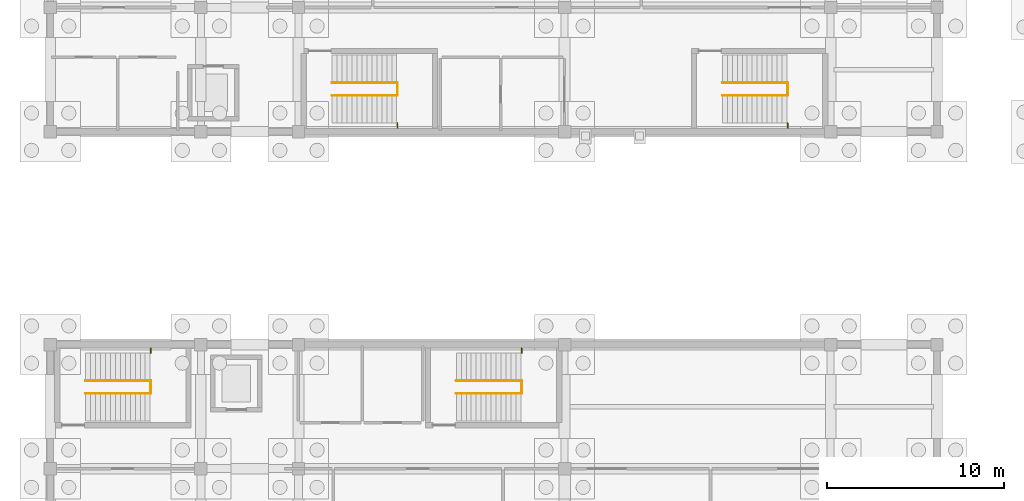
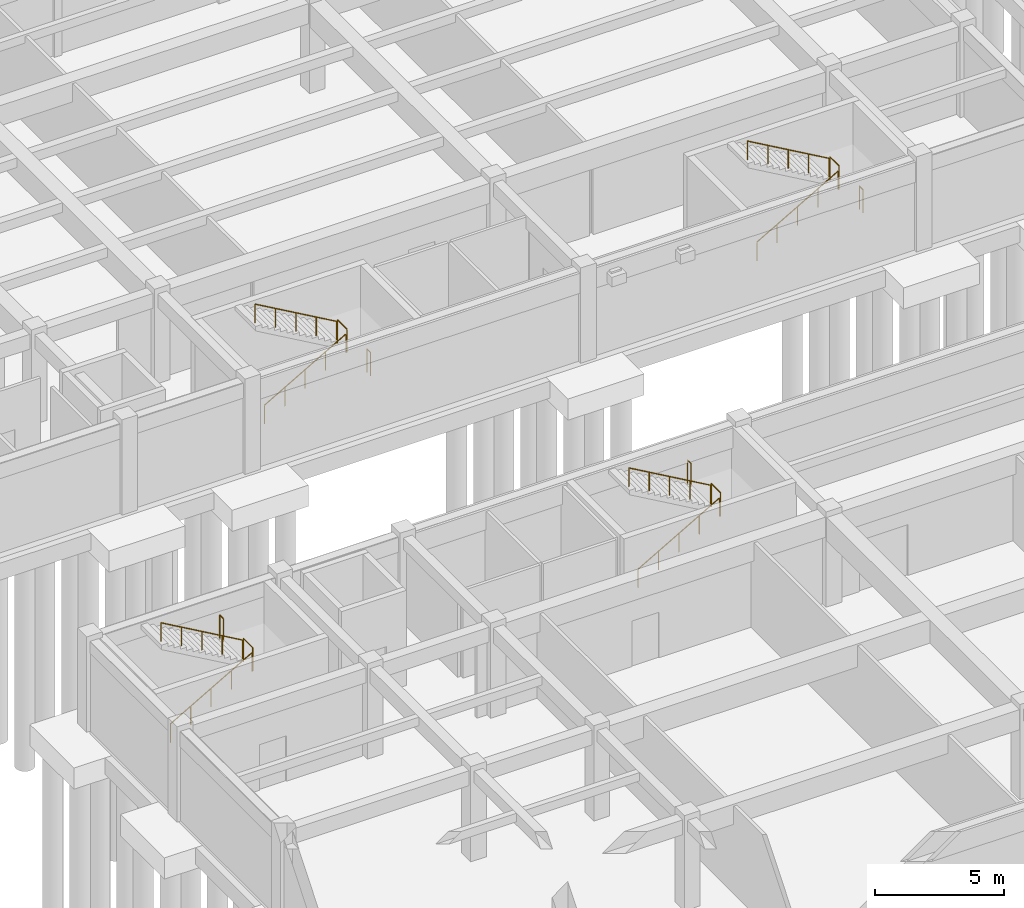
# One storey, part 24 of 28: 16 railings.
"""IFC4 building model written with IfcOpenShell, lengths in metres."""

from ifc_helpers import new_model, si_unit, direction, frame, origin, origin_2d, place, context, subcontext, project, spatial, circle, extrude, material, type_object, element, save


model = new_model("IFC4")

# Units and contexts
model_context = context("Model", 3, precision=1e-05, world=origin(), true_north=direction((0.0, 1.0)))
body_context = subcontext(model_context, "Body", "Model", "MODEL_VIEW")
ifc_project = project(units=[si_unit("LENGTHUNIT", "METRE"), si_unit("AREAUNIT", "SQUARE_METRE"), si_unit("VOLUMEUNIT", "CUBIC_METRE"), si_unit("PLANEANGLEUNIT", "RADIAN"), si_unit("MASSUNIT", "GRAM", prefix="KILO")], contexts=[model_context])

# Site, building, storey
site_placement = place(None, origin())
site = spatial("IfcSite", under=ifc_project, at=site_placement, CompositionType="ELEMENT")
building_placement = place(site_placement, origin())
building = spatial("IfcBuilding", under=site, at=building_placement, Name="Naurynzar Civic Courthouse", CompositionType="ELEMENT")
storey_placement = place(building_placement, frame((0.0, 0.0, -4.5)))
storey = spatial("IfcBuildingStorey", under=building, at=storey_placement, Name="B01", CompositionType="ELEMENT", Elevation=-4.5)

# Railings
ifc_material_1 = material(Name="Brushed Stainless Steel 304", Category="steel")
railing_type_1 = type_object("IfcRailingType", Name="RAIL-BAL-1100", PredefinedType="BALUSTRADE", material=ifc_material_1)
railing_1_placement = place(storey_placement, frame((25.580078125, 46.0400390625, 2.25)))
element("IfcRailing", 1, at=railing_1_placement, inside=storey, type_object=railing_type_1, Name="Stair ST-V1A-B01 half-landing well guard", PredefinedType="BALUSTRADE", context=body_context, shape_type="SweptSolid", body=[
    extrude(circle(Radius=0.02392578125, at=origin_2d()), frame((0.0, 0.0, 1.09619140625), z_axis=(0.0, 1.0, 0.0), x_axis=(-1.0, 0.0, 0.0)), (0.0, 0.0, 1.0), 0.719970703125),
    extrude(circle(Radius=0.02099609375, at=origin_2d()), origin(), (0.0, 0.0, 1.0), 1.072021484375),
    extrude(circle(Radius=0.02099609375, at=origin_2d()), frame((0.0, 0.719970703125, 0.0)), (0.0, 0.0, 1.0), 1.072021484375),
])
railing_2_placement = place(storey_placement, frame((25.580078125, 44.205078125, 2.25)))
element("IfcRailing", 2, at=railing_2_placement, inside=storey, type_object=railing_type_1, Name="Stair ST-V1A-B01 half-landing south slot guard", PredefinedType="BALUSTRADE", context=body_context, shape_type="SweptSolid", body=[
    extrude(circle(Radius=0.02392578125, at=origin_2d()), frame((0.0, 0.0, 1.09619140625), z_axis=(0.0, 1.0, 0.0), x_axis=(-1.0, 0.0, 0.0)), (0.0, 0.0, 1.0), 0.27490234375),
    extrude(circle(Radius=0.02099609375, at=origin_2d()), origin(), (0.0, 0.0, 1.0), 1.072021484375),
    extrude(circle(Radius=0.02099609375, at=origin_2d()), frame((0.0, 0.27490234375, 0.0)), (0.0, 0.0, 1.0), 1.072021484375),
])
railing_3_placement = place(storey_placement, frame((47.580078125, 46.0400390625, 2.25)))
element("IfcRailing", 3, at=railing_3_placement, inside=storey, type_object=railing_type_1, Name="Stair ST-V1B-B01 half-landing well guard", PredefinedType="BALUSTRADE", context=body_context, shape_type="SweptSolid", body=[
    extrude(circle(Radius=0.02392578125, at=origin_2d()), frame((0.0, 0.0, 1.09619140625), z_axis=(0.0, 1.0, 0.0), x_axis=(-1.0, 0.0, 0.0)), (0.0, 0.0, 1.0), 0.719970703125),
    extrude(circle(Radius=0.02099609375, at=origin_2d()), origin(), (0.0, 0.0, 1.0), 1.072021484375),
    extrude(circle(Radius=0.02099609375, at=origin_2d()), frame((0.0, 0.719970703125, 0.0)), (0.0, 0.0, 1.0), 1.072021484375),
])
railing_4_placement = place(storey_placement, frame((47.580078125, 44.205078125, 2.25)))
element("IfcRailing", 4, at=railing_4_placement, inside=storey, type_object=railing_type_1, Name="Stair ST-V1B-B01 half-landing south slot guard", PredefinedType="BALUSTRADE", context=body_context, shape_type="SweptSolid", body=[
    extrude(circle(Radius=0.02392578125, at=origin_2d()), frame((0.0, 0.0, 1.09619140625), z_axis=(0.0, 1.0, 0.0), x_axis=(-1.0, 0.0, 0.0)), (0.0, 0.0, 1.0), 0.27490234375),
    extrude(circle(Radius=0.02099609375, at=origin_2d()), origin(), (0.0, 0.0, 1.0), 1.072021484375),
    extrude(circle(Radius=0.02099609375, at=origin_2d()), frame((0.0, 0.27490234375, 0.0)), (0.0, 0.0, 1.0), 1.072021484375),
])
railing_5_placement = place(storey_placement, frame((11.679931640625, 29.239990234375, 2.25)))
element("IfcRailing", 5, at=railing_5_placement, inside=storey, type_object=railing_type_1, Name="Stair ST-V4A-B01 half-landing well guard", PredefinedType="BALUSTRADE", context=body_context, shape_type="SweptSolid", body=[
    extrude(circle(Radius=0.02392578125, at=origin_2d()), frame((0.0, 0.0, 1.09619140625), z_axis=(0.0, 1.0, 0.0), x_axis=(-1.0, 0.0, 0.0)), (0.0, 0.0, 1.0), 0.719970703125),
    extrude(circle(Radius=0.02099609375, at=origin_2d()), origin(), (0.0, 0.0, 1.0), 1.072021484375),
    extrude(circle(Radius=0.02099609375, at=origin_2d()), frame((0.0, 0.719970703125, 0.0)), (0.0, 0.0, 1.0), 1.072021484375),
])
railing_6_placement = place(storey_placement, frame((11.679931640625, 31.52001953125, 2.25)))
element("IfcRailing", 6, at=railing_6_placement, inside=storey, type_object=railing_type_1, Name="Stair ST-V4A-B01 half-landing north slot guard", PredefinedType="BALUSTRADE", context=body_context, shape_type="SweptSolid", body=[
    extrude(circle(Radius=0.02392578125, at=origin_2d()), frame((0.0, 0.0, 1.09619140625), z_axis=(0.0, 1.0, 0.0), x_axis=(-1.0, 0.0, 0.0)), (0.0, 0.0, 1.0), 0.27490234375),
    extrude(circle(Radius=0.02099609375, at=origin_2d()), origin(), (0.0, 0.0, 1.0), 1.072021484375),
    extrude(circle(Radius=0.02099609375, at=origin_2d()), frame((0.0, 0.27490234375, 0.0)), (0.0, 0.0, 1.0), 1.072021484375),
])
railing_7_placement = place(storey_placement, frame((32.580078125, 29.239990234375, 2.25)))
element("IfcRailing", 7, at=railing_7_placement, inside=storey, type_object=railing_type_1, Name="Stair ST-V4B-B01 half-landing well guard", PredefinedType="BALUSTRADE", context=body_context, shape_type="SweptSolid", body=[
    extrude(circle(Radius=0.02392578125, at=origin_2d()), frame((0.0, 0.0, 1.09619140625), z_axis=(0.0, 1.0, 0.0), x_axis=(-1.0, 0.0, 0.0)), (0.0, 0.0, 1.0), 0.719970703125),
    extrude(circle(Radius=0.02099609375, at=origin_2d()), origin(), (0.0, 0.0, 1.0), 1.072021484375),
    extrude(circle(Radius=0.02099609375, at=origin_2d()), frame((0.0, 0.719970703125, 0.0)), (0.0, 0.0, 1.0), 1.072021484375),
])
railing_8_placement = place(storey_placement, frame((32.580078125, 31.52001953125, 2.25)))
element("IfcRailing", 8, at=railing_8_placement, inside=storey, type_object=railing_type_1, Name="Stair ST-V4B-B01 half-landing north slot guard", PredefinedType="BALUSTRADE", context=body_context, shape_type="SweptSolid", body=[
    extrude(circle(Radius=0.02392578125, at=origin_2d()), frame((0.0, 0.0, 1.09619140625), z_axis=(0.0, 1.0, 0.0), x_axis=(-1.0, 0.0, 0.0)), (0.0, 0.0, 1.0), 0.27490234375),
    extrude(circle(Radius=0.02099609375, at=origin_2d()), origin(), (0.0, 0.0, 1.0), 1.072021484375),
    extrude(circle(Radius=0.02099609375, at=origin_2d()), frame((0.0, 0.27490234375, 0.0)), (0.0, 0.0, 1.0), 1.072021484375),
])
ifc_material_2 = material(Name="Brushed Stainless Steel 304", Category="steel")
railing_type_2 = type_object("IfcRailingType", Name="RAIL-HR-900", PredefinedType="HANDRAIL", material=ifc_material_2)
railing_9_placement = place(storey_placement, frame((21.89990234375, 46.0400390625, 0.16064453125)))
element("IfcRailing", 9, at=railing_9_placement, inside=storey, type_object=railing_type_2, Name="Stair ST-V1A-B01 flight 1 handrail", PredefinedType="HANDRAIL", context=body_context, shape_type="SweptSolid", body=[
    extrude(circle(Radius=0.02392578125, at=origin_2d()), frame((0.0, 0.0, 0.8759765625), z_axis=(0.867289372828, 0.0, 0.497804322781), x_axis=(0.0, 1.0, 0.0)), (0.0, 0.0, 1.0), 4.197021484375),
    extrude(circle(Radius=0.02099609375, at=origin_2d()), origin(), (0.0, 0.0, 1.0), 0.851806640625),
    extrude(circle(Radius=0.02099609375, at=origin_2d()), frame((0.91015625, 0.0, 0.5224609375)), (0.0, 0.0, 1.0), 0.851806640625),
    extrude(circle(Radius=0.02099609375, at=origin_2d()), frame((1.820068359375, 0.0, 1.044677734375)), (0.0, 0.0, 1.0), 0.851806640625),
    extrude(circle(Radius=0.02099609375, at=origin_2d()), frame((2.72998046875, 0.0, 1.56689453125)), (0.0, 0.0, 1.0), 0.851806640625),
    extrude(circle(Radius=0.02099609375, at=origin_2d()), frame((3.64013671875, 0.0, 2.08935546875)), (0.0, 0.0, 1.0), 0.851806640625),
])
railing_10_placement = place(storey_placement, frame((25.5400390625, 46.760009765625, 2.41064453125)))
element("IfcRailing", 10, at=railing_10_placement, inside=storey, type_object=railing_type_2, Name="Stair ST-V1A-B01 flight 2 handrail", PredefinedType="HANDRAIL", context=body_context, shape_type="SweptSolid", body=[
    extrude(circle(Radius=0.02392578125, at=origin_2d()), frame((0.0, 0.0, 0.8759765625), z_axis=(-0.867289372828, 0.0, 0.497804322781), x_axis=(0.0, -1.0, 0.0)), (0.0, 0.0, 1.0), 4.197021484375),
    extrude(circle(Radius=0.02099609375, at=origin_2d()), origin(), (0.0, 0.0, 1.0), 0.851806640625),
    extrude(circle(Radius=0.02099609375, at=origin_2d()), frame((-0.91015625, 0.0, 0.5224609375)), (0.0, 0.0, 1.0), 0.851806640625),
    extrude(circle(Radius=0.02099609375, at=origin_2d()), frame((-1.820068359375, 0.0, 1.044677734375)), (0.0, 0.0, 1.0), 0.851806640625),
    extrude(circle(Radius=0.02099609375, at=origin_2d()), frame((-2.72998046875, 0.0, 1.56689453125)), (0.0, 0.0, 1.0), 0.851806640625),
    extrude(circle(Radius=0.02099609375, at=origin_2d()), frame((-3.64013671875, 0.0, 2.08935546875)), (0.0, 0.0, 1.0), 0.851806640625),
])
railing_11_placement = place(storey_placement, frame((43.89990234375, 46.0400390625, 0.16064453125)))
element("IfcRailing", 11, at=railing_11_placement, inside=storey, type_object=railing_type_2, Name="Stair ST-V1B-B01 flight 1 handrail", PredefinedType="HANDRAIL", context=body_context, shape_type="SweptSolid", body=[
    extrude(circle(Radius=0.02392578125, at=origin_2d()), frame((0.0, 0.0, 0.8759765625), z_axis=(0.867289372828, 0.0, 0.497804322781), x_axis=(0.0, 1.0, 0.0)), (0.0, 0.0, 1.0), 4.197021484375),
    extrude(circle(Radius=0.02099609375, at=origin_2d()), origin(), (0.0, 0.0, 1.0), 0.851806640625),
    extrude(circle(Radius=0.02099609375, at=origin_2d()), frame((0.91015625, 0.0, 0.5224609375)), (0.0, 0.0, 1.0), 0.851806640625),
    extrude(circle(Radius=0.02099609375, at=origin_2d()), frame((1.820068359375, 0.0, 1.044677734375)), (0.0, 0.0, 1.0), 0.851806640625),
    extrude(circle(Radius=0.02099609375, at=origin_2d()), frame((2.72998046875, 0.0, 1.56689453125)), (0.0, 0.0, 1.0), 0.851806640625),
    extrude(circle(Radius=0.02099609375, at=origin_2d()), frame((3.64013671875, 0.0, 2.08935546875)), (0.0, 0.0, 1.0), 0.851806640625),
])
railing_12_placement = place(storey_placement, frame((47.5400390625, 46.760009765625, 2.41064453125)))
element("IfcRailing", 12, at=railing_12_placement, inside=storey, type_object=railing_type_2, Name="Stair ST-V1B-B01 flight 2 handrail", PredefinedType="HANDRAIL", context=body_context, shape_type="SweptSolid", body=[
    extrude(circle(Radius=0.02392578125, at=origin_2d()), frame((0.0, 0.0, 0.8759765625), z_axis=(-0.867289372828, 0.0, 0.497804322781), x_axis=(0.0, -1.0, 0.0)), (0.0, 0.0, 1.0), 4.197021484375),
    extrude(circle(Radius=0.02099609375, at=origin_2d()), origin(), (0.0, 0.0, 1.0), 0.851806640625),
    extrude(circle(Radius=0.02099609375, at=origin_2d()), frame((-0.91015625, 0.0, 0.5224609375)), (0.0, 0.0, 1.0), 0.851806640625),
    extrude(circle(Radius=0.02099609375, at=origin_2d()), frame((-1.820068359375, 0.0, 1.044677734375)), (0.0, 0.0, 1.0), 0.851806640625),
    extrude(circle(Radius=0.02099609375, at=origin_2d()), frame((-2.72998046875, 0.0, 1.56689453125)), (0.0, 0.0, 1.0), 0.851806640625),
    extrude(circle(Radius=0.02099609375, at=origin_2d()), frame((-3.64013671875, 0.0, 2.08935546875)), (0.0, 0.0, 1.0), 0.851806640625),
])
railing_13_placement = place(storey_placement, frame((8.0, 29.239990234375, 0.16064453125)))
element("IfcRailing", 13, at=railing_13_placement, inside=storey, type_object=railing_type_2, Name="Stair ST-V4A-B01 flight 1 handrail", PredefinedType="HANDRAIL", context=body_context, shape_type="SweptSolid", body=[
    extrude(circle(Radius=0.02392578125, at=origin_2d()), frame((0.0, 0.0, 0.8759765625), z_axis=(0.8672749571, 0.0, 0.497829437445), x_axis=(0.0, 1.0, 0.0)), (0.0, 0.0, 1.0), 4.197021484375),
    extrude(circle(Radius=0.02099609375, at=origin_2d()), origin(), (0.0, 0.0, 1.0), 0.851806640625),
    extrude(circle(Radius=0.02099609375, at=origin_2d()), frame((0.909912109375, 0.0, 0.5224609375)), (0.0, 0.0, 1.0), 0.851806640625),
    extrude(circle(Radius=0.02099609375, at=origin_2d()), frame((1.81982421875, 0.0, 1.044677734375)), (0.0, 0.0, 1.0), 0.851806640625),
    extrude(circle(Radius=0.02099609375, at=origin_2d()), frame((2.72998046875, 0.0, 1.56689453125)), (0.0, 0.0, 1.0), 0.851806640625),
    extrude(circle(Radius=0.02099609375, at=origin_2d()), frame((3.639892578125, 0.0, 2.08935546875)), (0.0, 0.0, 1.0), 0.851806640625),
])
railing_14_placement = place(storey_placement, frame((11.639892578125, 29.9599609375, 2.41064453125)))
element("IfcRailing", 14, at=railing_14_placement, inside=storey, type_object=railing_type_2, Name="Stair ST-V4A-B01 flight 2 handrail", PredefinedType="HANDRAIL", context=body_context, shape_type="SweptSolid", body=[
    extrude(circle(Radius=0.02392578125, at=origin_2d()), frame((0.0, 0.0, 0.8759765625), z_axis=(-0.8672749571, 0.0, 0.497829437445), x_axis=(0.0, -1.0, 0.0)), (0.0, 0.0, 1.0), 4.197021484375),
    extrude(circle(Radius=0.02099609375, at=origin_2d()), origin(), (0.0, 0.0, 1.0), 0.851806640625),
    extrude(circle(Radius=0.02099609375, at=origin_2d()), frame((-0.909912109375, 0.0, 0.5224609375)), (0.0, 0.0, 1.0), 0.851806640625),
    extrude(circle(Radius=0.02099609375, at=origin_2d()), frame((-1.81982421875, 0.0, 1.044677734375)), (0.0, 0.0, 1.0), 0.851806640625),
    extrude(circle(Radius=0.02099609375, at=origin_2d()), frame((-2.72998046875, 0.0, 1.56689453125)), (0.0, 0.0, 1.0), 0.851806640625),
    extrude(circle(Radius=0.02099609375, at=origin_2d()), frame((-3.639892578125, 0.0, 2.08935546875)), (0.0, 0.0, 1.0), 0.851806640625),
])
railing_15_placement = place(storey_placement, frame((28.89990234375, 29.239990234375, 0.16064453125)))
element("IfcRailing", 15, at=railing_15_placement, inside=storey, type_object=railing_type_2, Name="Stair ST-V4B-B01 flight 1 handrail", PredefinedType="HANDRAIL", context=body_context, shape_type="SweptSolid", body=[
    extrude(circle(Radius=0.02392578125, at=origin_2d()), frame((0.0, 0.0, 0.8759765625), z_axis=(0.867289372828, 0.0, 0.497804322781), x_axis=(0.0, 1.0, 0.0)), (0.0, 0.0, 1.0), 4.197021484375),
    extrude(circle(Radius=0.02099609375, at=origin_2d()), origin(), (0.0, 0.0, 1.0), 0.851806640625),
    extrude(circle(Radius=0.02099609375, at=origin_2d()), frame((0.91015625, 0.0, 0.5224609375)), (0.0, 0.0, 1.0), 0.851806640625),
    extrude(circle(Radius=0.02099609375, at=origin_2d()), frame((1.820068359375, 0.0, 1.044677734375)), (0.0, 0.0, 1.0), 0.851806640625),
    extrude(circle(Radius=0.02099609375, at=origin_2d()), frame((2.72998046875, 0.0, 1.56689453125)), (0.0, 0.0, 1.0), 0.851806640625),
    extrude(circle(Radius=0.02099609375, at=origin_2d()), frame((3.64013671875, 0.0, 2.08935546875)), (0.0, 0.0, 1.0), 0.851806640625),
])
railing_16_placement = place(storey_placement, frame((32.5400390625, 29.9599609375, 2.41064453125)))
element("IfcRailing", 16, at=railing_16_placement, inside=storey, type_object=railing_type_2, Name="Stair ST-V4B-B01 flight 2 handrail", PredefinedType="HANDRAIL", context=body_context, shape_type="SweptSolid", body=[
    extrude(circle(Radius=0.02392578125, at=origin_2d()), frame((0.0, 0.0, 0.8759765625), z_axis=(-0.867289372828, 0.0, 0.497804322781), x_axis=(0.0, -1.0, 0.0)), (0.0, 0.0, 1.0), 4.197021484375),
    extrude(circle(Radius=0.02099609375, at=origin_2d()), origin(), (0.0, 0.0, 1.0), 0.851806640625),
    extrude(circle(Radius=0.02099609375, at=origin_2d()), frame((-0.91015625, 0.0, 0.5224609375)), (0.0, 0.0, 1.0), 0.851806640625),
    extrude(circle(Radius=0.02099609375, at=origin_2d()), frame((-1.820068359375, 0.0, 1.044677734375)), (0.0, 0.0, 1.0), 0.851806640625),
    extrude(circle(Radius=0.02099609375, at=origin_2d()), frame((-2.72998046875, 0.0, 1.56689453125)), (0.0, 0.0, 1.0), 0.851806640625),
    extrude(circle(Radius=0.02099609375, at=origin_2d()), frame((-3.64013671875, 0.0, 2.08935546875)), (0.0, 0.0, 1.0), 0.851806640625),
])

save(model, "model.ifc")
